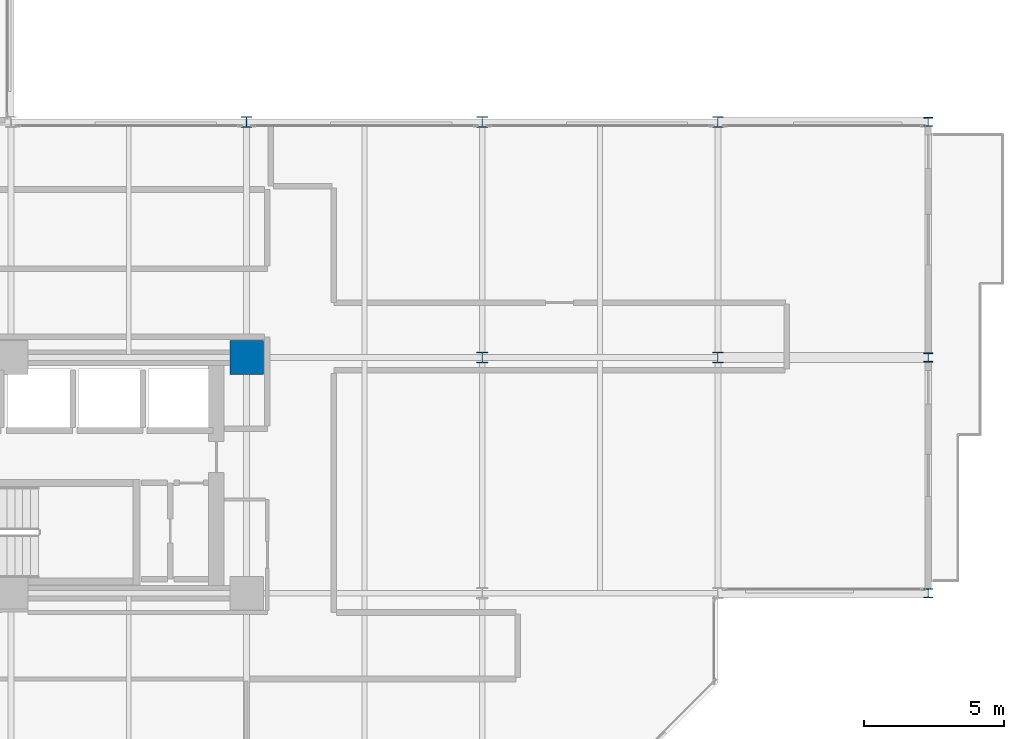
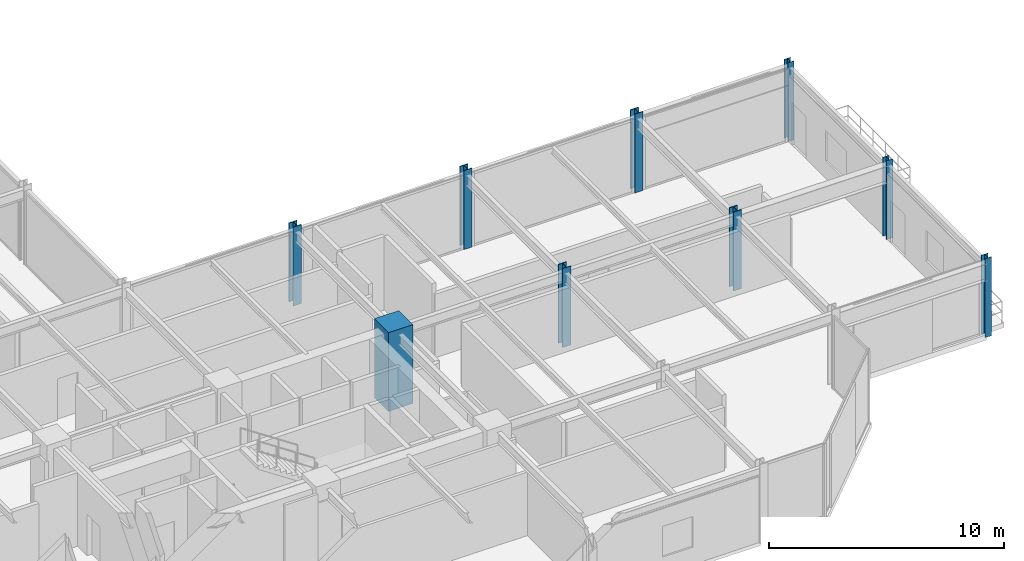
# One storey, part 2 of 38: 9 columns.
"""IFC4 building model written with IfcOpenShell, lengths in metres."""

from ifc_helpers import new_model, si_unit, direction, frame, origin, origin_2d, place, context, subcontext, project, spatial, rectangle, i_section, extrude, material, material_profile, profile_set, type_object, element, save


model = new_model("IFC4")

# Units and contexts
model_context = context("Model", 3, precision=1e-05, world=origin(), true_north=direction((0.0, 1.0)))
body_context = subcontext(model_context, "Body", "Model", "MODEL_VIEW")
ifc_project = project(units=[si_unit("LENGTHUNIT", "METRE"), si_unit("AREAUNIT", "SQUARE_METRE"), si_unit("VOLUMEUNIT", "CUBIC_METRE"), si_unit("PLANEANGLEUNIT", "RADIAN"), si_unit("MASSUNIT", "GRAM", prefix="KILO")], contexts=[model_context])

# Site, building, storey
site_placement = place(None, origin())
site = spatial("IfcSite", under=ifc_project, at=site_placement, CompositionType="ELEMENT")
building_placement = place(site_placement, origin())
building = spatial("IfcBuilding", under=site, at=building_placement, Name="Nerrivon Quay Data Exchange", CompositionType="ELEMENT")
storey_placement = place(building_placement, frame((0.0, 0.0, 100.800048828125)))
storey = spatial("IfcBuildingStorey", under=building, at=storey_placement, Name="L23", CompositionType="ELEMENT", Elevation=100.800048828125)

# Columns
ifc_material_1 = material(Name="Concrete S65 (65 MPa)", Category="concrete")
ifc_material_profile_1 = material_profile(ifc_material_1, rectangle(XDim=1.199951171875, YDim=1.199951171875, at=origin_2d()), Name="RC-COL-1200x1200")
ifc_profile_set_1 = profile_set([ifc_material_profile_1], Name="Concrete S65 (65 MPa)")
column_type_1 = type_object("IfcColumnType", Name="COL-C3-1200", PredefinedType="COLUMN", material=ifc_profile_set_1)
column_placement = place(storey_placement, frame((33.60009765625, 16.800048828125, 0.0), z_axis=(0.0, 0.0, 1.0), x_axis=(1.0, 0.0, 0.0)))
element("IfcColumn", 1, at=column_placement, inside=storey, type_object=column_type_1, Name="L23 Column (33.6,16.8)", PredefinedType="COLUMN", context=body_context, shape_type="SweptSolid", body=[
    extrude(rectangle(XDim=1.199951171875, YDim=1.199951171875, at=origin_2d()), origin(), (0.0, 0.0, 1.0), 4.099853515625),
])
ifc_material_2 = material(Name="Steel Grade 350", Category="steel")
ifc_material_profile_2 = material_profile(ifc_material_2, i_section(OverallWidth=0.39990234375, OverallDepth=0.39990234375, WebThickness=0.02490234375, FlangeThickness=0.0400390625, at=origin_2d()), Name="400WC328")
ifc_profile_set_2 = profile_set([ifc_material_profile_2], Name="Steel Grade 350")
column_type_2 = type_object("IfcColumnType", Name="COL-SC2-400WC", PredefinedType="COLUMN", material=ifc_profile_set_2)
for number, where, z_axis, x_axis, name in (
    (2, (33.60009765625, 25.199951171875, 0.0), (0.0, 0.0, 1.0), (1.0, 0.0, 0.0), "L23 Column (33.6,25.2)"),
    (3, (42.0, 16.800048828125, 0.0), (0.0, 0.0, 1.0), (1.0, 0.0, 0.0), "L23 Column (42.0,16.8)"),
    (4, (42.0, 25.199951171875, 0.0), (0.0, 0.0, 1.0), (1.0, 0.0, 0.0), "L23 Column (42.0,25.2)"),
    (5, (50.39990234375, 16.800048828125, 0.0), (0.0, 0.0, 1.0), (1.0, 0.0, 0.0), "L23 Column (50.4,16.8)"),
    (6, (50.39990234375, 25.199951171875, 0.0), (0.0, 0.0, 1.0), (1.0, 0.0, 0.0), "L23 Column (50.4,25.2)"),
):
    element("IfcColumn", number, at=place(storey_placement, frame(where, z_axis=z_axis, x_axis=x_axis)), inside=storey, type_object=column_type_2, Name=name, PredefinedType="COLUMN", context=body_context, shape_type="SweptSolid", body=[
        extrude(i_section(OverallWidth=0.39990234375, OverallDepth=0.39990234375, WebThickness=0.02490234375, FlangeThickness=0.0400390625, at=origin_2d()), origin(), (0.0, 0.0, 1.0), 4.099853515625),
    ])
ifc_material_profile_3 = material_profile(ifc_material_2, i_section(OverallWidth=0.31103515625, OverallDepth=0.326904296875, WebThickness=0.015625, FlangeThickness=0.02490234375, FilletRadius=0.0166015625, at=origin_2d()), Name="310UC158")
ifc_profile_set_3 = profile_set([ifc_material_profile_3], Name="Steel Grade 350")
column_type_3 = type_object("IfcColumnType", Name="COL-SC4-310UC158", PredefinedType="COLUMN", material=ifc_profile_set_3)
for number, where, z_axis, x_axis, name in (
    (7, (57.89990234375, 8.39990234375, 0.0), (0.0, 0.0, 1.0), (1.0, 0.0, 0.0), "L23 East Hooked Post (57.9,8.4)"),
    (8, (57.89990234375, 16.800048828125, 0.0), (0.0, 0.0, 1.0), (1.0, 0.0, 0.0), "L23 East Hooked Post (57.9,16.8)"),
    (9, (57.89990234375, 25.199951171875, 0.0), (0.0, 0.0, 1.0), (1.0, 0.0, 0.0), "L23 East Hooked Post (57.9,25.2)"),
):
    element("IfcColumn", number, at=place(storey_placement, frame(where, z_axis=z_axis, x_axis=x_axis)), inside=storey, type_object=column_type_3, Name=name, PredefinedType="COLUMN", context=body_context, shape_type="SweptSolid", body=[
        extrude(i_section(OverallWidth=0.31103515625, OverallDepth=0.326904296875, WebThickness=0.015625, FlangeThickness=0.02490234375, FilletRadius=0.0166015625, at=origin_2d()), origin(), (0.0, 0.0, 1.0), 4.099853515625),
    ])

save(model, "model.ifc")
